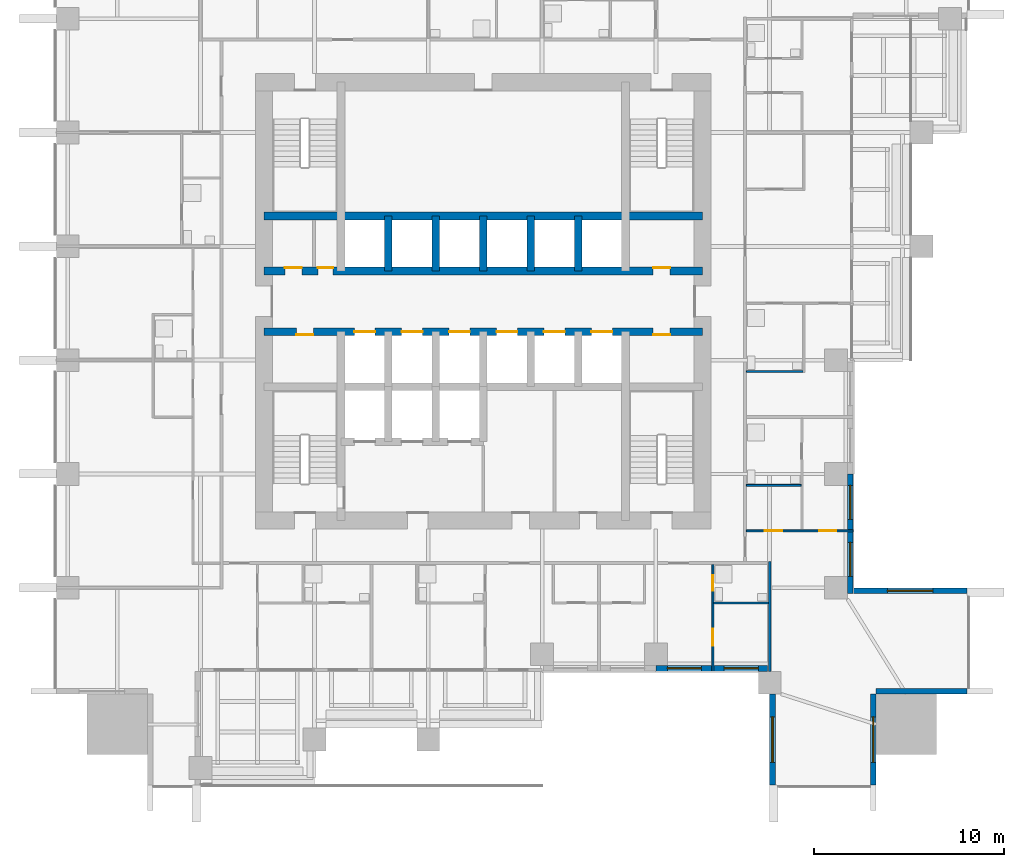
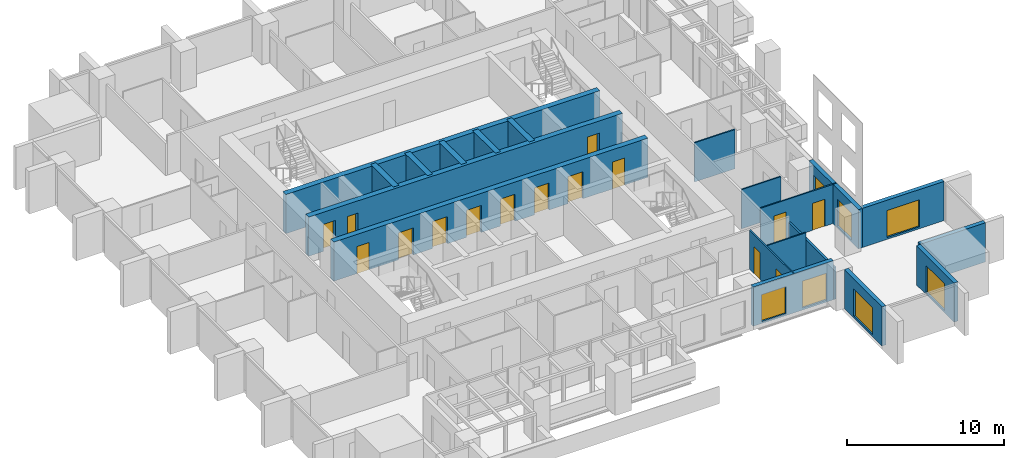
# One storey, part 9 of 15: 20 walls, 15 doors, 7 windows, 22 openings.
"""IFC4 building model written with IfcOpenShell, lengths in metres."""

from ifc_helpers import new_model, si_unit, direction, frame, frame_2d, origin, place, context, subcontext, project, spatial, rectangle, extrude, material, layer, layer_set, type_object, element, fill, save


model = new_model("IFC4")

# Units and contexts
model_context = context("Model", 3, precision=1e-05, world=origin(), true_north=direction((0.0, 1.0)))
body_context = subcontext(model_context, "Body", "Model", "MODEL_VIEW")
ifc_project = project(units=[si_unit("LENGTHUNIT", "METRE"), si_unit("AREAUNIT", "SQUARE_METRE"), si_unit("VOLUMEUNIT", "CUBIC_METRE"), si_unit("PLANEANGLEUNIT", "RADIAN"), si_unit("MASSUNIT", "GRAM", prefix="KILO")], contexts=[model_context])

# Site, building, storey
site_placement = place(None, origin())
site = spatial("IfcSite", under=ifc_project, at=site_placement, CompositionType="ELEMENT")
building_placement = place(site_placement, origin())
building = spatial("IfcBuilding", under=site, at=building_placement, Name="Amberfall Residences", CompositionType="ELEMENT")
storey_placement = place(building_placement, frame((0.0, 0.0, 53.199951171875)))
storey = spatial("IfcBuildingStorey", under=building, at=storey_placement, Name="L14", CompositionType="ELEMENT", Elevation=53.199951171875)

# Wall, opening, window
ifc_material_1 = material(Name="Pale stone cladding on insulated backing", Category="masonry")
ifc_layer_1 = layer(ifc_material_1, 0.300048828125)
ifc_layer_set_1 = layer_set([ifc_layer_1], Name="Bronze clad wall 300")
wall_type_1 = type_object("IfcWallType", Name="Bronze clad wall 300", PredefinedType="SOLIDWALL", material=ifc_layer_set_1)
wall_1_placement = place(storey_placement, frame((89.75, 24.800048828125, 0.0), z_axis=(0.0, 0.0, 1.0), x_axis=(0.0, -1.0, 0.0)))
wall_1 = element("IfcWall", 1, at=wall_1_placement, inside=storey, type_object=wall_type_1, Name="External wall L14 S", PredefinedType="SOLIDWALL", context=body_context, shape_type="SweptSolid", body=[
    extrude(rectangle(XDim=4.800048828125, YDim=0.300048828125, at=frame_2d((2.39990234375, 0.0))), origin(), (0.0, 0.0, 1.0), 3.050048828125),
])
opening_1_placement = place(wall_1_placement, frame((1.199951171875, 0.0, 0.14990234375)))
opening_1 = element("IfcOpeningElement", 2, at=opening_1_placement, cuts=wall_1, Name="Opening WN5", PredefinedType="OPENING", context=body_context, shape_type="SweptSolid", body=[
    extrude(rectangle(XDim=2.39990234375, YDim=2.10009765625, at=frame_2d((1.199951171875, 1.050048828125))), frame((0.0, 0.159912109375, 0.0), z_axis=(0.0, -1.0, 0.0), x_axis=(1.0, 0.0, 0.0)), (0.0, 0.0, 1.0), 0.320068359375),
])
ifc_material_2 = material(Name="Bronze aluminium framed glazing", Category="aluminium")
window_type_1 = type_object("IfcWindowType", Name="Glazed opening 2400 x 2100 bronze", PartitioningType="DOUBLE_PANEL_VERTICAL", PredefinedType="WINDOW", material=ifc_material_2)
window_1_placement = place(opening_1_placement, origin())
window_1 = element("IfcWindow", 3, at=window_1_placement, inside=storey, type_object=window_type_1, Name="Window L14 S", OverallHeight=2.10009765625, OverallWidth=2.39990234375, PartitioningType="DOUBLE_PANEL_VERTICAL", PredefinedType="WINDOW", context=body_context, shape_type="SweptSolid", body=[
    extrude(rectangle(XDim=2.39990234375, YDim=2.10009765625, at=frame_2d((1.199951171875, 1.050048828125))), frame((0.0, 0.030029296875, 0.0), z_axis=(0.0, -1.0, 0.0), x_axis=(1.0, 0.0, 0.0)), (0.0, 0.0, 1.0), 0.06005859375),
])
fill(opening_1, window_1)

wall_2_placement = place(storey_placement, frame((95.050048828125, 20.0, 0.0), z_axis=(0.0, 0.0, 1.0), x_axis=(0.0, 1.0, 0.0)))
wall_2 = element("IfcWall", 4, at=wall_2_placement, inside=storey, type_object=wall_type_1, Name="External wall L14 SE", PredefinedType="SOLIDWALL", context=body_context, shape_type="SweptSolid", body=[
    extrude(rectangle(XDim=4.800048828125, YDim=0.300048828125, at=frame_2d((2.39990234375, 0.0))), origin(), (0.0, 0.0, 1.0), 3.050048828125),
])
opening_2_placement = place(wall_2_placement, frame((1.199951171875, 0.0, 0.14990234375)))
opening_2 = element("IfcOpeningElement", 5, at=opening_2_placement, cuts=wall_2, Name="Opening WN5", PredefinedType="OPENING", context=body_context, shape_type="SweptSolid", body=[
    extrude(rectangle(XDim=2.39990234375, YDim=2.10009765625, at=frame_2d((1.199951171875, 1.050048828125))), frame((0.0, 0.159912109375, 0.0), z_axis=(0.0, -1.0, 0.0), x_axis=(1.0, 0.0, 0.0)), (0.0, 0.0, 1.0), 0.320068359375),
])
window_2_placement = place(opening_2_placement, origin())
window_2 = element("IfcWindow", 6, at=window_2_placement, inside=storey, type_object=window_type_1, Name="Window L14 SE", OverallHeight=2.10009765625, OverallWidth=2.39990234375, PartitioningType="DOUBLE_PANEL_VERTICAL", PredefinedType="WINDOW", context=body_context, shape_type="SweptSolid", body=[
    extrude(rectangle(XDim=2.39990234375, YDim=2.10009765625, at=frame_2d((1.199951171875, 1.050048828125))), frame((0.0, 0.030029296875, 0.0), z_axis=(0.0, -1.0, 0.0), x_axis=(1.0, 0.0, 0.0)), (0.0, 0.0, 1.0), 0.06005859375),
])
fill(opening_2, window_2)

# Wall
wall_3_placement = place(storey_placement, frame((95.199951171875, 24.949951171875, 0.0), z_axis=(0.0, 0.0, 1.0), x_axis=(1.0, 0.0, 0.0)))
element("IfcWall", 7, at=wall_3_placement, inside=storey, type_object=wall_type_1, Name="External wall L14 SE", PredefinedType="SOLIDWALL", context=body_context, shape_type="SweptSolid", body=[
    extrude(rectangle(XDim=4.800048828125, YDim=0.300048828125, at=frame_2d((2.39990234375, 0.0))), origin(), (0.0, 0.0, 1.0), 3.050048828125),
])

# Wall, opening, window
wall_4_placement = place(storey_placement, frame((100.0, 30.25, 0.0), z_axis=(0.0, 0.0, 1.0), x_axis=(-1.0, 0.0, 0.0)))
wall_4 = element("IfcWall", 8, at=wall_4_placement, inside=storey, type_object=wall_type_1, Name="External wall L14 E", PredefinedType="SOLIDWALL", context=body_context, shape_type="SweptSolid", body=[
    extrude(rectangle(XDim=6.0, YDim=0.300048828125, at=frame_2d((3.0, 0.0))), origin(), (0.0, 0.0, 1.0), 3.050048828125),
])
opening_3_placement = place(wall_4_placement, frame((1.800048828125, 0.0, 0.14990234375)))
opening_3 = element("IfcOpeningElement", 9, at=opening_3_placement, cuts=wall_4, Name="Opening WN5", PredefinedType="OPENING", context=body_context, shape_type="SweptSolid", body=[
    extrude(rectangle(XDim=2.39990234375, YDim=2.10009765625, at=frame_2d((1.199951171875, 1.050048828125))), frame((0.0, 0.159912109375, 0.0), z_axis=(0.0, -1.0, 0.0), x_axis=(1.0, 0.0, 0.0)), (0.0, 0.0, 1.0), 0.320068359375),
])
window_3_placement = place(opening_3_placement, origin())
window_3 = element("IfcWindow", 10, at=window_3_placement, inside=storey, type_object=window_type_1, Name="Window L14 E", OverallHeight=2.10009765625, OverallWidth=2.39990234375, PartitioningType="DOUBLE_PANEL_VERTICAL", PredefinedType="WINDOW", context=body_context, shape_type="SweptSolid", body=[
    extrude(rectangle(XDim=2.39990234375, YDim=2.10009765625, at=frame_2d((1.199951171875, 1.050048828125))), frame((0.0, 0.030029296875, 0.0), z_axis=(0.0, -1.0, 0.0), x_axis=(1.0, 0.0, 0.0)), (0.0, 0.0, 1.0), 0.06005859375),
])
fill(opening_3, window_3)

# Wall, openings, windows
wall_5_placement = place(storey_placement, frame((83.60009765625, 26.14990234375, 0.0), z_axis=(0.0, 0.0, 1.0), x_axis=(1.0, 0.0, 0.0)))
wall_5 = element("IfcWall", 11, at=wall_5_placement, inside=storey, type_object=wall_type_1, Name="Stone wall L14 S", PredefinedType="SOLIDWALL", context=body_context, shape_type="SweptSolid", body=[
    extrude(rectangle(XDim=5.889892578125, YDim=0.300048828125, at=frame_2d((2.94482421875, 0.0))), origin(), (0.0, 0.0, 1.0), 3.050048828125),
])
opening_4_placement = place(wall_5_placement, frame((0.60009765625, 0.0, 0.14990234375)))
opening_4 = element("IfcOpeningElement", 12, at=opening_4_placement, cuts=wall_5, Name="Opening WN6", PredefinedType="OPENING", context=body_context, shape_type="SweptSolid", body=[
    extrude(rectangle(XDim=1.800048828125, YDim=2.10009765625, at=frame_2d((0.89990234375, 1.050048828125))), frame((0.0, 0.159912109375, 0.0), z_axis=(0.0, -1.0, 0.0), x_axis=(1.0, 0.0, 0.0)), (0.0, 0.0, 1.0), 0.320068359375),
])
opening_5_placement = place(wall_5_placement, frame((3.60009765625, 0.0, 0.14990234375)))
opening_5 = element("IfcOpeningElement", 13, at=opening_5_placement, cuts=wall_5, Name="Opening WN6", PredefinedType="OPENING", context=body_context, shape_type="SweptSolid", body=[
    extrude(rectangle(XDim=1.800048828125, YDim=2.10009765625, at=frame_2d((0.89990234375, 1.050048828125))), frame((0.0, 0.159912109375, 0.0), z_axis=(0.0, -1.0, 0.0), x_axis=(1.0, 0.0, 0.0)), (0.0, 0.0, 1.0), 0.320068359375),
])
window_type_2 = type_object("IfcWindowType", Name="Glazed opening 1800 x 2100 bronze", PartitioningType="DOUBLE_PANEL_VERTICAL", PredefinedType="WINDOW", material=ifc_material_2)
window_4_placement = place(opening_4_placement, origin())
window_4 = element("IfcWindow", 14, at=window_4_placement, inside=storey, type_object=window_type_2, Name="Window L14 S", OverallHeight=2.10009765625, OverallWidth=1.800048828125, PartitioningType="DOUBLE_PANEL_VERTICAL", PredefinedType="WINDOW", context=body_context, shape_type="SweptSolid", body=[
    extrude(rectangle(XDim=1.800048828125, YDim=2.10009765625, at=frame_2d((0.89990234375, 1.050048828125))), frame((0.0, 0.030029296875, 0.0), z_axis=(0.0, -1.0, 0.0), x_axis=(1.0, 0.0, 0.0)), (0.0, 0.0, 1.0), 0.06005859375),
])
fill(opening_4, window_4)
window_5_placement = place(opening_5_placement, origin())
window_5 = element("IfcWindow", 15, at=window_5_placement, inside=storey, type_object=window_type_2, Name="Window L14 S", OverallHeight=2.10009765625, OverallWidth=1.800048828125, PartitioningType="DOUBLE_PANEL_VERTICAL", PredefinedType="WINDOW", context=body_context, shape_type="SweptSolid", body=[
    extrude(rectangle(XDim=1.800048828125, YDim=2.10009765625, at=frame_2d((0.89990234375, 1.050048828125))), frame((0.0, 0.030029296875, 0.0), z_axis=(0.0, -1.0, 0.0), x_axis=(1.0, 0.0, 0.0)), (0.0, 0.0, 1.0), 0.06005859375),
])
fill(opening_5, window_5)

wall_6_placement = place(storey_placement, frame((93.85009765625, 30.10009765625, 0.0), z_axis=(0.0, 0.0, 1.0), x_axis=(0.0, 1.0, 0.0)))
wall_6 = element("IfcWall", 16, at=wall_6_placement, inside=storey, type_object=wall_type_1, Name="Stone wall L14 E", PredefinedType="SOLIDWALL", context=body_context, shape_type="SweptSolid", body=[
    extrude(rectangle(XDim=6.2998046875, YDim=0.300048828125, at=frame_2d((3.14990234375, 0.0))), origin(), (0.0, 0.0, 1.0), 3.050048828125),
])
opening_6_placement = place(wall_6_placement, frame((0.89990234375, 0.0, 0.14990234375)))
opening_6 = element("IfcOpeningElement", 17, at=opening_6_placement, cuts=wall_6, Name="Opening WN6", PredefinedType="OPENING", context=body_context, shape_type="SweptSolid", body=[
    extrude(rectangle(XDim=1.800048828125, YDim=2.10009765625, at=frame_2d((0.89990234375, 1.050048828125))), frame((0.0, 0.159912109375, 0.0), z_axis=(0.0, -1.0, 0.0), x_axis=(1.0, 0.0, 0.0)), (0.0, 0.0, 1.0), 0.320068359375),
])
opening_7_placement = place(wall_6_placement, frame((3.89990234375, 0.0, 0.14990234375)))
opening_7 = element("IfcOpeningElement", 18, at=opening_7_placement, cuts=wall_6, Name="Opening WN6", PredefinedType="OPENING", context=body_context, shape_type="SweptSolid", body=[
    extrude(rectangle(XDim=1.800048828125, YDim=2.10009765625, at=frame_2d((0.89990234375, 1.050048828125))), frame((0.0, 0.159912109375, 0.0), z_axis=(0.0, -1.0, 0.0), x_axis=(1.0, 0.0, 0.0)), (0.0, 0.0, 1.0), 0.320068359375),
])
window_6_placement = place(opening_6_placement, origin())
window_6 = element("IfcWindow", 19, at=window_6_placement, inside=storey, type_object=window_type_2, Name="Window L14 E", OverallHeight=2.10009765625, OverallWidth=1.800048828125, PartitioningType="DOUBLE_PANEL_VERTICAL", PredefinedType="WINDOW", context=body_context, shape_type="SweptSolid", body=[
    extrude(rectangle(XDim=1.800048828125, YDim=2.10009765625, at=frame_2d((0.89990234375, 1.050048828125))), frame((0.0, 0.030029296875, 0.0), z_axis=(0.0, -1.0, 0.0), x_axis=(1.0, 0.0, 0.0)), (0.0, 0.0, 1.0), 0.06005859375),
])
fill(opening_6, window_6)
window_7_placement = place(opening_7_placement, origin())
window_7 = element("IfcWindow", 20, at=window_7_placement, inside=storey, type_object=window_type_2, Name="Window L14 E", OverallHeight=2.10009765625, OverallWidth=1.800048828125, PartitioningType="DOUBLE_PANEL_VERTICAL", PredefinedType="WINDOW", context=body_context, shape_type="SweptSolid", body=[
    extrude(rectangle(XDim=1.800048828125, YDim=2.10009765625, at=frame_2d((0.89990234375, 1.050048828125))), frame((0.0, 0.030029296875, 0.0), z_axis=(0.0, -1.0, 0.0), x_axis=(1.0, 0.0, 0.0)), (0.0, 0.0, 1.0), 0.06005859375),
])
fill(opening_7, window_7)

# Wall, openings, doors
ifc_material_3 = material(Name="Concrete C80", Category="concrete")
ifc_layer_2 = layer(ifc_material_3, 0.39990234375)
ifc_layer_set_2 = layer_set([ifc_layer_2], Name="Core wall 400 C80")
wall_type_2 = type_object("IfcWallType", Name="Core wall 400 C80", PredefinedType="SHEAR", material=ifc_layer_set_2)
wall_7_placement = place(storey_placement, frame((62.949951171875, 43.89990234375, 0.0), z_axis=(0.0, 0.0, 1.0), x_axis=(1.0, 0.0, 0.0)))
wall_7 = element("IfcWall", 21, at=wall_7_placement, inside=storey, type_object=wall_type_2, Name="Core wall RW2 L14 H104", PredefinedType="SHEAR", context=body_context, shape_type="SweptSolid", body=[
    extrude(rectangle(XDim=23.10009765625, YDim=0.39990234375, at=frame_2d((11.550048828125, 0.0))), origin(), (0.0, 0.0, 1.0), 3.050048828125),
])
opening_8_placement = place(wall_7_placement, frame((1.699951171875, 0.0, 0.0)))
opening_8 = element("IfcOpeningElement", 22, at=opening_8_placement, cuts=wall_7, Name="Opening RD1", PredefinedType="OPENING", context=body_context, shape_type="SweptSolid", body=[
    extrude(rectangle(XDim=0.89990234375, YDim=2.10009765625, at=frame_2d((0.449951171875, 1.050048828125))), frame((0.0, 0.2099609375, 0.0), z_axis=(0.0, -1.0, 0.0), x_axis=(1.0, 0.0, 0.0)), (0.0, 0.0, 1.0), 0.419921875),
])
opening_9_placement = place(wall_7_placement, frame((20.5, 0.0, 0.0)))
opening_9 = element("IfcOpeningElement", 23, at=opening_9_placement, cuts=wall_7, Name="Opening RD1", PredefinedType="OPENING", context=body_context, shape_type="SweptSolid", body=[
    extrude(rectangle(XDim=0.89990234375, YDim=2.10009765625, at=frame_2d((0.449951171875, 1.050048828125))), frame((0.0, 0.2099609375, 0.0), z_axis=(0.0, -1.0, 0.0), x_axis=(1.0, 0.0, 0.0)), (0.0, 0.0, 1.0), 0.419921875),
])
opening_10_placement = place(wall_7_placement, frame((4.75, 0.0, 0.0)))
opening_10 = element("IfcOpeningElement", 24, at=opening_10_placement, cuts=wall_7, Name="Opening LD1", PredefinedType="OPENING", context=body_context, shape_type="SweptSolid", body=[
    extrude(rectangle(XDim=1.10009765625, YDim=2.10009765625, at=frame_2d((0.550048828125, 1.050048828125))), frame((0.0, 0.2099609375, 0.0), z_axis=(0.0, -1.0, 0.0), x_axis=(1.0, 0.0, 0.0)), (0.0, 0.0, 1.0), 0.419921875),
])
opening_11_placement = place(wall_7_placement, frame((7.25, 0.0, 0.0)))
opening_11 = element("IfcOpeningElement", 25, at=opening_11_placement, cuts=wall_7, Name="Opening LD1", PredefinedType="OPENING", context=body_context, shape_type="SweptSolid", body=[
    extrude(rectangle(XDim=1.10009765625, YDim=2.10009765625, at=frame_2d((0.550048828125, 1.050048828125))), frame((0.0, 0.2099609375, 0.0), z_axis=(0.0, -1.0, 0.0), x_axis=(1.0, 0.0, 0.0)), (0.0, 0.0, 1.0), 0.419921875),
])
opening_12_placement = place(wall_7_placement, frame((9.75, 0.0, 0.0)))
opening_12 = element("IfcOpeningElement", 26, at=opening_12_placement, cuts=wall_7, Name="Opening LD1", PredefinedType="OPENING", context=body_context, shape_type="SweptSolid", body=[
    extrude(rectangle(XDim=1.10009765625, YDim=2.10009765625, at=frame_2d((0.550048828125, 1.050048828125))), frame((0.0, 0.2099609375, 0.0), z_axis=(0.0, -1.0, 0.0), x_axis=(1.0, 0.0, 0.0)), (0.0, 0.0, 1.0), 0.419921875),
])
opening_13_placement = place(wall_7_placement, frame((12.25, 0.0, 0.0)))
opening_13 = element("IfcOpeningElement", 27, at=opening_13_placement, cuts=wall_7, Name="Opening LD1", PredefinedType="OPENING", context=body_context, shape_type="SweptSolid", body=[
    extrude(rectangle(XDim=1.10009765625, YDim=2.10009765625, at=frame_2d((0.550048828125, 1.050048828125))), frame((0.0, 0.2099609375, 0.0), z_axis=(0.0, -1.0, 0.0), x_axis=(1.0, 0.0, 0.0)), (0.0, 0.0, 1.0), 0.419921875),
])
opening_14_placement = place(wall_7_placement, frame((14.75, 0.0, 0.0)))
opening_14 = element("IfcOpeningElement", 28, at=opening_14_placement, cuts=wall_7, Name="Opening LD1", PredefinedType="OPENING", context=body_context, shape_type="SweptSolid", body=[
    extrude(rectangle(XDim=1.10009765625, YDim=2.10009765625, at=frame_2d((0.550048828125, 1.050048828125))), frame((0.0, 0.2099609375, 0.0), z_axis=(0.0, -1.0, 0.0), x_axis=(1.0, 0.0, 0.0)), (0.0, 0.0, 1.0), 0.419921875),
])
opening_15_placement = place(wall_7_placement, frame((17.25, 0.0, 0.0)))
opening_15 = element("IfcOpeningElement", 29, at=opening_15_placement, cuts=wall_7, Name="Opening LD1", PredefinedType="OPENING", context=body_context, shape_type="SweptSolid", body=[
    extrude(rectangle(XDim=1.10009765625, YDim=2.10009765625, at=frame_2d((0.550048828125, 1.050048828125))), frame((0.0, 0.2099609375, 0.0), z_axis=(0.0, -1.0, 0.0), x_axis=(1.0, 0.0, 0.0)), (0.0, 0.0, 1.0), 0.419921875),
])
ifc_material_4 = material(Name="Steel fire door set", Category="steel")
door_type_1 = type_object("IfcDoorType", Name="Lift landing door 1100 x 2100", OperationType="DOUBLE_DOOR_SLIDING", PredefinedType="DOOR", material=ifc_material_4)
door_1_placement = place(opening_10_placement, origin())
door_1 = element("IfcDoor", 30, at=door_1_placement, inside=storey, type_object=door_type_1, Name="Landing door LP1 L14", OperationType="DOUBLE_DOOR_SLIDING", OverallHeight=2.10009765625, OverallWidth=1.10009765625, PredefinedType="DOOR", context=body_context, shape_type="SweptSolid", body=[
    extrude(rectangle(XDim=1.10009765625, YDim=2.10009765625, at=frame_2d((0.550048828125, 1.050048828125))), frame((0.0, 0.02490234375, 0.0), z_axis=(0.0, -1.0, 0.0), x_axis=(1.0, 0.0, 0.0)), (0.0, 0.0, 1.0), 0.050048828125),
])
fill(opening_10, door_1)
door_2_placement = place(opening_11_placement, origin())
door_2 = element("IfcDoor", 31, at=door_2_placement, inside=storey, type_object=door_type_1, Name="Landing door LP2 L14", OperationType="DOUBLE_DOOR_SLIDING", OverallHeight=2.10009765625, OverallWidth=1.10009765625, PredefinedType="DOOR", context=body_context, shape_type="SweptSolid", body=[
    extrude(rectangle(XDim=1.10009765625, YDim=2.10009765625, at=frame_2d((0.550048828125, 1.050048828125))), frame((0.0, 0.02490234375, 0.0), z_axis=(0.0, -1.0, 0.0), x_axis=(1.0, 0.0, 0.0)), (0.0, 0.0, 1.0), 0.050048828125),
])
fill(opening_11, door_2)
door_3_placement = place(opening_12_placement, origin())
door_3 = element("IfcDoor", 32, at=door_3_placement, inside=storey, type_object=door_type_1, Name="Landing door LP3 L14", OperationType="DOUBLE_DOOR_SLIDING", OverallHeight=2.10009765625, OverallWidth=1.10009765625, PredefinedType="DOOR", context=body_context, shape_type="SweptSolid", body=[
    extrude(rectangle(XDim=1.10009765625, YDim=2.10009765625, at=frame_2d((0.550048828125, 1.050048828125))), frame((0.0, 0.02490234375, 0.0), z_axis=(0.0, -1.0, 0.0), x_axis=(1.0, 0.0, 0.0)), (0.0, 0.0, 1.0), 0.050048828125),
])
fill(opening_12, door_3)
door_4_placement = place(opening_13_placement, origin())
door_4 = element("IfcDoor", 33, at=door_4_placement, inside=storey, type_object=door_type_1, Name="Landing door LP4 L14", OperationType="DOUBLE_DOOR_SLIDING", OverallHeight=2.10009765625, OverallWidth=1.10009765625, PredefinedType="DOOR", context=body_context, shape_type="SweptSolid", body=[
    extrude(rectangle(XDim=1.10009765625, YDim=2.10009765625, at=frame_2d((0.550048828125, 1.050048828125))), frame((0.0, 0.02490234375, 0.0), z_axis=(0.0, -1.0, 0.0), x_axis=(1.0, 0.0, 0.0)), (0.0, 0.0, 1.0), 0.050048828125),
])
fill(opening_13, door_4)
door_5_placement = place(opening_14_placement, origin())
door_5 = element("IfcDoor", 34, at=door_5_placement, inside=storey, type_object=door_type_1, Name="Landing door LP5 L14", OperationType="DOUBLE_DOOR_SLIDING", OverallHeight=2.10009765625, OverallWidth=1.10009765625, PredefinedType="DOOR", context=body_context, shape_type="SweptSolid", body=[
    extrude(rectangle(XDim=1.10009765625, YDim=2.10009765625, at=frame_2d((0.550048828125, 1.050048828125))), frame((0.0, 0.02490234375, 0.0), z_axis=(0.0, -1.0, 0.0), x_axis=(1.0, 0.0, 0.0)), (0.0, 0.0, 1.0), 0.050048828125),
])
fill(opening_14, door_5)
door_6_placement = place(opening_15_placement, origin())
door_6 = element("IfcDoor", 35, at=door_6_placement, inside=storey, type_object=door_type_1, Name="Landing door LP6 L14", OperationType="DOUBLE_DOOR_SLIDING", OverallHeight=2.10009765625, OverallWidth=1.10009765625, PredefinedType="DOOR", context=body_context, shape_type="SweptSolid", body=[
    extrude(rectangle(XDim=1.10009765625, YDim=2.10009765625, at=frame_2d((0.550048828125, 1.050048828125))), frame((0.0, 0.02490234375, 0.0), z_axis=(0.0, -1.0, 0.0), x_axis=(1.0, 0.0, 0.0)), (0.0, 0.0, 1.0), 0.050048828125),
])
fill(opening_15, door_6)
door_type_2 = type_object("IfcDoorType", Name="Service room door 900 x 2100", OperationType="SINGLE_SWING_LEFT", PredefinedType="DOOR", material=ifc_material_4)
door_7_placement = place(opening_8_placement, origin())
door_7 = element("IfcDoor", 36, at=door_7_placement, inside=storey, type_object=door_type_2, Name="RD1 L14", OperationType="SINGLE_SWING_LEFT", OverallHeight=2.10009765625, OverallWidth=0.89990234375, PredefinedType="DOOR", context=body_context, shape_type="SweptSolid", body=[
    extrude(rectangle(XDim=0.89990234375, YDim=2.10009765625, at=frame_2d((0.449951171875, 1.050048828125))), frame((0.0, -0.1376953125, 0.0), z_axis=(0.0, -1.0, 0.0), x_axis=(1.0, 0.0, 0.0)), (0.0, 0.0, 1.0), 0.050048828125),
])
fill(opening_8, door_7)
door_8_placement = place(opening_9_placement, origin())
door_8 = element("IfcDoor", 37, at=door_8_placement, inside=storey, type_object=door_type_2, Name="RD1 L14", OperationType="SINGLE_SWING_LEFT", OverallHeight=2.10009765625, OverallWidth=0.89990234375, PredefinedType="DOOR", context=body_context, shape_type="SweptSolid", body=[
    extrude(rectangle(XDim=0.89990234375, YDim=2.10009765625, at=frame_2d((0.449951171875, 1.050048828125))), frame((0.0, -0.1376953125, 0.0), z_axis=(0.0, -1.0, 0.0), x_axis=(1.0, 0.0, 0.0)), (0.0, 0.0, 1.0), 0.050048828125),
])
fill(opening_9, door_8)

wall_8_placement = place(storey_placement, frame((62.949951171875, 47.10009765625, 0.0), z_axis=(0.0, 0.0, 1.0), x_axis=(1.0, 0.0, 0.0)))
wall_8 = element("IfcWall", 38, at=wall_8_placement, inside=storey, type_object=wall_type_2, Name="Core wall RW2 L14 H136", PredefinedType="SHEAR", context=body_context, shape_type="SweptSolid", body=[
    extrude(rectangle(XDim=23.10009765625, YDim=0.39990234375, at=frame_2d((11.550048828125, 0.0))), origin(), (0.0, 0.0, 1.0), 3.050048828125),
])
opening_16_placement = place(wall_8_placement, frame((1.087890625, 0.0, 0.0)))
opening_16 = element("IfcOpeningElement", 39, at=opening_16_placement, cuts=wall_8, Name="Opening RD1", PredefinedType="OPENING", context=body_context, shape_type="SweptSolid", body=[
    extrude(rectangle(XDim=0.89990234375, YDim=2.10009765625, at=frame_2d((0.449951171875, 1.050048828125))), frame((0.0, 0.2099609375, 0.0), z_axis=(0.0, -1.0, 0.0), x_axis=(1.0, 0.0, 0.0)), (0.0, 0.0, 1.0), 0.419921875),
])
opening_17_placement = place(wall_8_placement, frame((2.837890625, 0.0, 0.0)))
opening_17 = element("IfcOpeningElement", 40, at=opening_17_placement, cuts=wall_8, Name="Opening RD2", PredefinedType="OPENING", context=body_context, shape_type="SweptSolid", body=[
    extrude(rectangle(XDim=0.800048828125, YDim=2.10009765625, at=frame_2d((0.39990234375, 1.050048828125))), frame((0.0, 0.2099609375, 0.0), z_axis=(0.0, -1.0, 0.0), x_axis=(1.0, 0.0, 0.0)), (0.0, 0.0, 1.0), 0.419921875),
])
opening_18_placement = place(wall_8_placement, frame((20.5, 0.0, 0.0)))
opening_18 = element("IfcOpeningElement", 41, at=opening_18_placement, cuts=wall_8, Name="Opening RD1", PredefinedType="OPENING", context=body_context, shape_type="SweptSolid", body=[
    extrude(rectangle(XDim=0.89990234375, YDim=2.10009765625, at=frame_2d((0.449951171875, 1.050048828125))), frame((0.0, 0.2099609375, 0.0), z_axis=(0.0, -1.0, 0.0), x_axis=(1.0, 0.0, 0.0)), (0.0, 0.0, 1.0), 0.419921875),
])
door_type_3 = type_object("IfcDoorType", Name="Service room door 800 x 2100", OperationType="SINGLE_SWING_LEFT", PredefinedType="DOOR", material=ifc_material_4)
door_9_placement = place(opening_17_placement, origin())
door_9 = element("IfcDoor", 42, at=door_9_placement, inside=storey, type_object=door_type_3, Name="RD2 L14", OperationType="SINGLE_SWING_RIGHT", OverallHeight=2.10009765625, OverallWidth=0.800048828125, PredefinedType="DOOR", context=body_context, shape_type="SweptSolid", body=[
    extrude(rectangle(XDim=0.800048828125, YDim=2.10009765625, at=frame_2d((0.39990234375, 1.050048828125))), frame((0.0, 0.1875, 0.0), z_axis=(0.0, -1.0, 0.0), x_axis=(1.0, 0.0, 0.0)), (0.0, 0.0, 1.0), 0.050048828125),
])
fill(opening_17, door_9)
door_10_placement = place(opening_16_placement, origin())
door_10 = element("IfcDoor", 43, at=door_10_placement, inside=storey, type_object=door_type_2, Name="RD1 L14", OperationType="SINGLE_SWING_LEFT", OverallHeight=2.10009765625, OverallWidth=0.89990234375, PredefinedType="DOOR", context=body_context, shape_type="SweptSolid", body=[
    extrude(rectangle(XDim=0.89990234375, YDim=2.10009765625, at=frame_2d((0.449951171875, 1.050048828125))), frame((0.0, 0.1875, 0.0), z_axis=(0.0, -1.0, 0.0), x_axis=(1.0, 0.0, 0.0)), (0.0, 0.0, 1.0), 0.050048828125),
])
fill(opening_16, door_10)
door_11_placement = place(opening_18_placement, origin())
door_11 = element("IfcDoor", 44, at=door_11_placement, inside=storey, type_object=door_type_2, Name="RD1 L14", OperationType="SINGLE_SWING_LEFT", OverallHeight=2.10009765625, OverallWidth=0.89990234375, PredefinedType="DOOR", context=body_context, shape_type="SweptSolid", body=[
    extrude(rectangle(XDim=0.89990234375, YDim=2.10009765625, at=frame_2d((0.449951171875, 1.050048828125))), frame((0.0, 0.1875, 0.0), z_axis=(0.0, -1.0, 0.0), x_axis=(1.0, 0.0, 0.0)), (0.0, 0.0, 1.0), 0.050048828125),
])
fill(opening_18, door_11)

# Walls
wall_9_placement = place(storey_placement, frame((62.949951171875, 50.0, 0.0), z_axis=(0.0, 0.0, 1.0), x_axis=(1.0, 0.0, 0.0)))
element("IfcWall", 45, at=wall_9_placement, inside=storey, type_object=wall_type_2, Name="Core wall RW2 L14 H165", PredefinedType="SHEAR", context=body_context, shape_type="SweptSolid", body=[
    extrude(rectangle(XDim=23.10009765625, YDim=0.39990234375, at=frame_2d((11.550048828125, 0.0))), origin(), (0.0, 0.0, 1.0), 3.050048828125),
])
for number, where, z_axis, x_axis, name in (
    (46, (69.5, 47.10009765625, 0.0), (0.0, 0.0, 1.0), (0.0, 1.0, 0.0), "Core wall RW2 L14 HPD1"),
    (47, (72.0, 47.10009765625, 0.0), (0.0, 0.0, 1.0), (0.0, 1.0, 0.0), "Core wall RW2 L14 HPD2"),
    (48, (74.5, 47.10009765625, 0.0), (0.0, 0.0, 1.0), (0.0, 1.0, 0.0), "Core wall RW2 L14 HPD3"),
    (49, (77.0, 47.10009765625, 0.0), (0.0, 0.0, 1.0), (0.0, 1.0, 0.0), "Core wall RW2 L14 HPD4"),
    (50, (79.5, 47.10009765625, 0.0), (0.0, 0.0, 1.0), (0.0, 1.0, 0.0), "Core wall RW2 L14 HPD5"),
):
    element("IfcWall", number, at=place(storey_placement, frame(where, z_axis=z_axis, x_axis=x_axis)), inside=storey, type_object=wall_type_2, Name=name, PredefinedType="SHEAR", context=body_context, shape_type="SweptSolid", body=[
        extrude(rectangle(XDim=2.89990234375, YDim=0.39990234375, at=frame_2d((1.449951171875, 0.0))), origin(), (0.0, 0.0, 1.0), 3.050048828125),
    ])

# Wall, openings, doors
ifc_material_5 = material(Name="Gypsum board on metal stud")
ifc_layer_3 = layer(ifc_material_5, 0.10009765625)
ifc_layer_set_3 = layer_set([ifc_layer_3], Name="Flat partition 100")
wall_type_3 = type_object("IfcWallType", Name="Flat partition 100", PredefinedType="PARTITIONING", material=ifc_layer_set_3)
wall_10_placement = place(storey_placement, frame((86.60009765625, 31.625, 0.0), z_axis=(0.0, 0.0, 1.0), x_axis=(0.0, -1.0, 0.0)))
wall_10 = element("IfcWall", 51, at=wall_10_placement, inside=storey, type_object=wall_type_3, Name="Partition 015", PredefinedType="PARTITIONING", context=body_context, shape_type="SweptSolid", body=[
    extrude(rectangle(XDim=5.625, YDim=0.10009765625, at=frame_2d((2.8125, 0.0))), origin(), (0.0, 0.0, 1.0), 3.050048828125),
])
opening_19_placement = place(wall_10_placement, frame((3.375, 0.0, 0.0)))
opening_19 = element("IfcOpeningElement", 52, at=opening_19_placement, cuts=wall_10, Name="Opening D41", PredefinedType="OPENING", context=body_context, shape_type="SweptSolid", body=[
    extrude(rectangle(XDim=0.89990234375, YDim=2.10009765625, at=frame_2d((0.449951171875, 1.050048828125))), frame((0.0, 0.06005859375, 0.0), z_axis=(0.0, -1.0, 0.0), x_axis=(1.0, 0.0, 0.0)), (0.0, 0.0, 1.0), 0.1201171875),
])
opening_20_placement = place(wall_10_placement, frame((0.574951171875, 0.0, 0.0)))
opening_20 = element("IfcOpeningElement", 53, at=opening_20_placement, cuts=wall_10, Name="Opening D42", PredefinedType="OPENING", context=body_context, shape_type="SweptSolid", body=[
    extrude(rectangle(XDim=0.800048828125, YDim=2.10009765625, at=frame_2d((0.39990234375, 1.050048828125))), frame((0.0, 0.06005859375, 0.0), z_axis=(0.0, -1.0, 0.0), x_axis=(1.0, 0.0, 0.0)), (0.0, 0.0, 1.0), 0.1201171875),
])
ifc_material_6 = material(Name="Timber", Category="wood")
door_type_4 = type_object("IfcDoorType", Name="Bathroom door 800 x 2100", OperationType="SINGLE_SWING_LEFT", PredefinedType="DOOR", material=ifc_material_6)
door_12_placement = place(opening_20_placement, origin())
door_12 = element("IfcDoor", 54, at=door_12_placement, inside=storey, type_object=door_type_4, Name="Door 1403 bath1", OperationType="SINGLE_SWING_LEFT", OverallHeight=2.10009765625, OverallWidth=0.800048828125, PredefinedType="DOOR", context=body_context, shape_type="SweptSolid", body=[
    extrude(rectangle(XDim=0.800048828125, YDim=2.10009765625, at=frame_2d((0.39990234375, 1.050048828125))), frame((0.0, 0.02490234375, 0.0), z_axis=(0.0, -1.0, 0.0), x_axis=(1.0, 0.0, 0.0)), (0.0, 0.0, 1.0), 0.050048828125),
])
fill(opening_20, door_12)
door_type_5 = type_object("IfcDoorType", Name="Internal door 900 x 2100", OperationType="SINGLE_SWING_LEFT", PredefinedType="DOOR", material=ifc_material_6)
door_13_placement = place(opening_19_placement, origin())
door_13 = element("IfcDoor", 55, at=door_13_placement, inside=storey, type_object=door_type_5, Name="Door 1403 bedroom1", OperationType="SINGLE_SWING_LEFT", OverallHeight=2.10009765625, OverallWidth=0.89990234375, PredefinedType="DOOR", context=body_context, shape_type="SweptSolid", body=[
    extrude(rectangle(XDim=0.89990234375, YDim=2.10009765625, at=frame_2d((0.449951171875, 1.050048828125))), frame((0.0, 0.02490234375, 0.0), z_axis=(0.0, -1.0, 0.0), x_axis=(1.0, 0.0, 0.0)), (0.0, 0.0, 1.0), 0.050048828125),
])
fill(opening_19, door_13)

# Walls
wall_11_placement = place(storey_placement, frame((88.375, 41.800048828125, 0.0), z_axis=(0.0, 0.0, 1.0), x_axis=(1.0, 0.0, 0.0)))
element("IfcWall", 56, at=wall_11_placement, inside=storey, type_object=wall_type_3, Name="Partition 032", PredefinedType="PARTITIONING", context=body_context, shape_type="SweptSolid", body=[
    extrude(rectangle(XDim=2.97509765625, YDim=0.10009765625, at=frame_2d((1.487548828125, 0.0))), origin(), (0.0, 0.0, 1.0), 3.050048828125),
])
wall_12_placement = place(storey_placement, frame((88.375, 35.800048828125, 0.0), z_axis=(0.0, 0.0, 1.0), x_axis=(1.0, 0.0, 0.0)))
element("IfcWall", 57, at=wall_12_placement, inside=storey, type_object=wall_type_3, Name="Partition 034", PredefinedType="PARTITIONING", context=body_context, shape_type="SweptSolid", body=[
    extrude(rectangle(XDim=2.875, YDim=0.10009765625, at=frame_2d((1.4375, 0.0))), origin(), (0.0, 0.0, 1.0), 3.050048828125),
])

# Wall, openings, doors
wall_13_placement = place(storey_placement, frame((88.375, 33.39990234375, 0.0), z_axis=(0.0, 0.0, 1.0), x_axis=(1.0, 0.0, 0.0)))
wall_13 = element("IfcWall", 58, at=wall_13_placement, inside=storey, type_object=wall_type_3, Name="Partition 035", PredefinedType="PARTITIONING", context=body_context, shape_type="SweptSolid", body=[
    extrude(rectangle(XDim=5.625, YDim=0.10009765625, at=frame_2d((2.8125, 0.0))), origin(), (0.0, 0.0, 1.0), 3.050048828125),
])
opening_21_placement = place(wall_13_placement, frame((0.97509765625, 0.0, 0.0)))
opening_21 = element("IfcOpeningElement", 59, at=opening_21_placement, cuts=wall_13, Name="Opening D41", PredefinedType="OPENING", context=body_context, shape_type="SweptSolid", body=[
    extrude(rectangle(XDim=0.89990234375, YDim=2.10009765625, at=frame_2d((0.449951171875, 1.050048828125))), frame((0.0, 0.06005859375, 0.0), z_axis=(0.0, -1.0, 0.0), x_axis=(1.0, 0.0, 0.0)), (0.0, 0.0, 1.0), 0.1201171875),
])
opening_22_placement = place(wall_13_placement, frame((3.824951171875, 0.0, 0.0)))
opening_22 = element("IfcOpeningElement", 60, at=opening_22_placement, cuts=wall_13, Name="Opening D41", PredefinedType="OPENING", context=body_context, shape_type="SweptSolid", body=[
    extrude(rectangle(XDim=0.89990234375, YDim=2.10009765625, at=frame_2d((0.449951171875, 1.050048828125))), frame((0.0, 0.06005859375, 0.0), z_axis=(0.0, -1.0, 0.0), x_axis=(1.0, 0.0, 0.0)), (0.0, 0.0, 1.0), 0.1201171875),
])
door_14_placement = place(opening_21_placement, origin())
door_14 = element("IfcDoor", 61, at=door_14_placement, inside=storey, type_object=door_type_5, Name="Door 1404 kitchen", OperationType="SINGLE_SWING_LEFT", OverallHeight=2.10009765625, OverallWidth=0.89990234375, PredefinedType="DOOR", context=body_context, shape_type="SweptSolid", body=[
    extrude(rectangle(XDim=0.89990234375, YDim=2.10009765625, at=frame_2d((0.449951171875, 1.050048828125))), frame((0.0, 0.02490234375, 0.0), z_axis=(0.0, -1.0, 0.0), x_axis=(1.0, 0.0, 0.0)), (0.0, 0.0, 1.0), 0.050048828125),
])
fill(opening_21, door_14)
door_15_placement = place(opening_22_placement, origin())
door_15 = element("IfcDoor", 62, at=door_15_placement, inside=storey, type_object=door_type_5, Name="Door 1404 bedroom1", OperationType="SINGLE_SWING_LEFT", OverallHeight=2.10009765625, OverallWidth=0.89990234375, PredefinedType="DOOR", context=body_context, shape_type="SweptSolid", body=[
    extrude(rectangle(XDim=0.89990234375, YDim=2.10009765625, at=frame_2d((0.449951171875, 1.050048828125))), frame((0.0, 0.02490234375, 0.0), z_axis=(0.0, -1.0, 0.0), x_axis=(1.0, 0.0, 0.0)), (0.0, 0.0, 1.0), 0.050048828125),
])
fill(opening_22, door_15)

# Walls
wall_14_placement = place(storey_placement, frame((86.64990234375, 29.60009765625, 0.0), z_axis=(0.0, 0.0, 1.0), x_axis=(1.0, 0.0, 0.0)))
element("IfcWall", 63, at=wall_14_placement, inside=storey, type_object=wall_type_3, Name="Partition 040", PredefinedType="PARTITIONING", context=body_context, shape_type="SweptSolid", body=[
    extrude(rectangle(XDim=2.875, YDim=0.10009765625, at=frame_2d((1.4375, 0.0))), origin(), (0.0, 0.0, 1.0), 3.050048828125),
])
ifc_material_7 = material(Name="Blockwork, plastered", Category="masonry")
ifc_layer_4 = layer(ifc_material_7, 0.14990234375)
ifc_layer_set_4 = layer_set([ifc_layer_4], Name="Flat separating wall 150")
wall_type_4 = type_object("IfcWallType", Name="Flat separating wall 150", PredefinedType="PARTITIONING", material=ifc_layer_set_4)
wall_15_placement = place(storey_placement, frame((89.60009765625, 26.0, 0.0), z_axis=(0.0, 0.0, 1.0), x_axis=(0.0, 1.0, 0.0)))
element("IfcWall", 64, at=wall_15_placement, inside=storey, type_object=wall_type_4, Name="Separating wall 047", PredefinedType="PARTITIONING", context=body_context, shape_type="SweptSolid", body=[
    extrude(rectangle(XDim=5.77490234375, YDim=0.14990234375, at=frame_2d((2.887451171875, 0.0))), origin(), (0.0, 0.0, 1.0), 2.51611328125),
])

save(model, "model.ifc")
